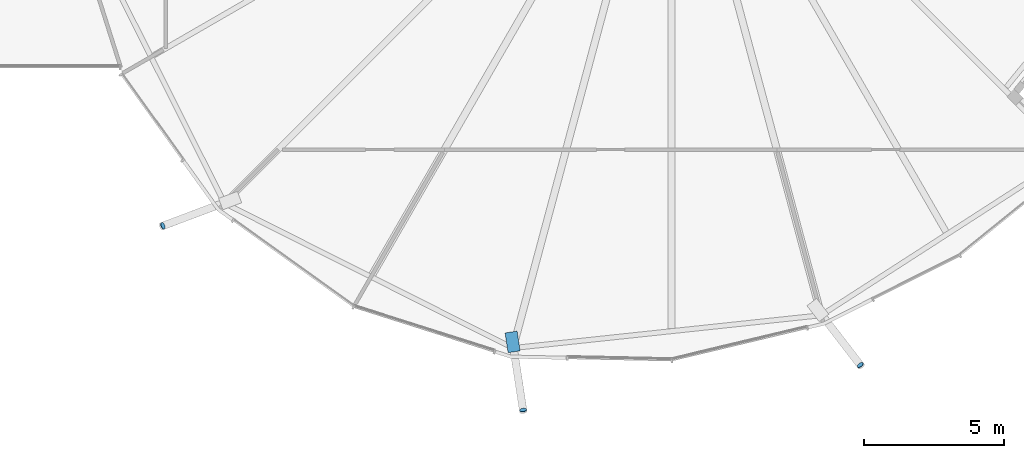
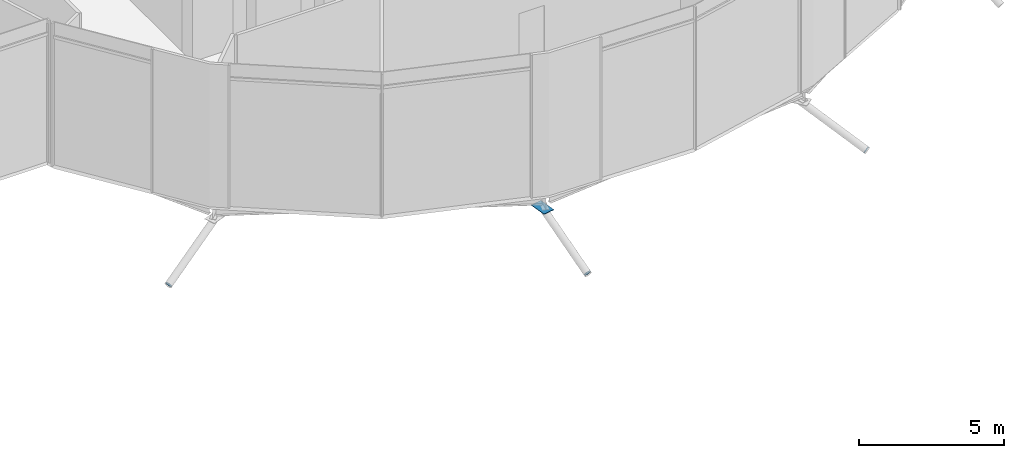
# One storey, part 30 of 38: 4 discrete accessories.
"""IFC4 building model written with IfcOpenShell, lengths in metres."""

from ifc_helpers import new_model, si_unit, direction, frame, origin, origin_2d, place, context, subcontext, project, spatial, polyline, rectangle, circle, outline, extrude, material, material_profile, profile_set, type_object, element, save


model = new_model("IFC4")

# Units and contexts
model_context = context("Model", 3, precision=1e-05, world=origin(), true_north=direction((0.0, 1.0)))
body_context = subcontext(model_context, "Body", "Model", "MODEL_VIEW")
ifc_project = project(units=[si_unit("LENGTHUNIT", "METRE"), si_unit("AREAUNIT", "SQUARE_METRE"), si_unit("VOLUMEUNIT", "CUBIC_METRE"), si_unit("PLANEANGLEUNIT", "RADIAN"), si_unit("MASSUNIT", "GRAM", prefix="KILO")], contexts=[model_context])

# Site, building, storey
site_placement = place(None, origin())
site = spatial("IfcSite", under=ifc_project, at=site_placement, CompositionType="ELEMENT")
building_placement = place(site_placement, origin())
building = spatial("IfcBuilding", under=site, at=building_placement, Name="Rimbun Link Towers", CompositionType="ELEMENT")
storey_placement = place(building_placement, frame((0.0, 0.0, 133.199951171875)))
storey = spatial("IfcBuildingStorey", under=building, at=storey_placement, Name="L32", CompositionType="ELEMENT", Elevation=133.199951171875)

# Discrete accessories
ifc_material_1 = material(Name="Steel S355J2H", Category="steel")
ifc_material_profile_1 = material_profile(ifc_material_1, circle(Radius=0.1240234375, at=origin_2d()), Name="PL D248")
ifc_profile_set_1 = profile_set([ifc_material_profile_1], Name="Steel S355J2H")
discrete_accessory_type_1 = type_object("IfcDiscreteAccessoryType", Name="Link foot sealing plate D248X20", PredefinedType="BRACKET", material=ifc_profile_set_1)
for number, where, z_axis, x_axis, name in (
    (1, (13.650390625, -16.710693359375, -2.2470703125), (-0.812793219859, -0.303281052186, -0.497380925585), (0.349590519726, -0.936902592865, 0.0), "Link foot sealing plate T2 L32 12"),
    (2, (26.46630859375, -23.265869140625, -2.281494140625), (0.133768883405, -0.863417338341, -0.486432303291), (0.988210237284, 0.153102994509, 0.0), "Link foot sealing plate T2 L32 14"),
    (3, (38.466552734375, -21.663330078125, -2.282470703125), (0.538672317562, -0.685582949624, -0.489702106874), (0.786318338822, 0.617821551932, 0.0), "Link foot sealing plate T2 L32 16"),
):
    element("IfcDiscreteAccessory", number, at=place(storey_placement, frame(where, z_axis=z_axis, x_axis=x_axis)), inside=storey, type_object=discrete_accessory_type_1, Name=name, PredefinedType="BRACKET", context=body_context, shape_type="SweptSolid", body=[
        extrude(circle(Radius=0.1240234375, at=origin_2d()), origin(), (0.0, 0.0, 1.0), 0.02001953125),
    ])
ifc_material_2 = material(Name="Steel S355J2H", Category="steel")
ifc_material_profile_2 = material_profile(ifc_material_2, rectangle(XDim=0.43310546875, YDim=0.43310546875, at=origin_2d()), Name="PL 433x433")
ifc_profile_set_2 = profile_set([ifc_material_profile_2], Name="Steel S355J2H")
discrete_accessory_type_2 = type_object("IfcDiscreteAccessoryType", Name="Link head end plate 433X20", PredefinedType="BRACKET", material=ifc_profile_set_2)
discrete_accessory_placement = place(storey_placement, frame((0.0, 0.0, -0.883544921875)))
element("IfcDiscreteAccessory", 4, at=discrete_accessory_placement, inside=storey, type_object=discrete_accessory_type_2, Name="Link head end plate T2 L32 14", PredefinedType="BRACKET", context=body_context, shape_type="SweptSolid", body=[
    extrude(outline(polyline([(25.824951171875, -20.525146484375), (25.93310546875, -21.227783203125), (26.361083984375, -21.162109375), (26.2529296875, -20.459228515625), (25.824951171875, -20.525146484375)])), origin(), (0.0, 0.0, 1.0), 0.02001953125),
])

save(model, "model.ifc")
